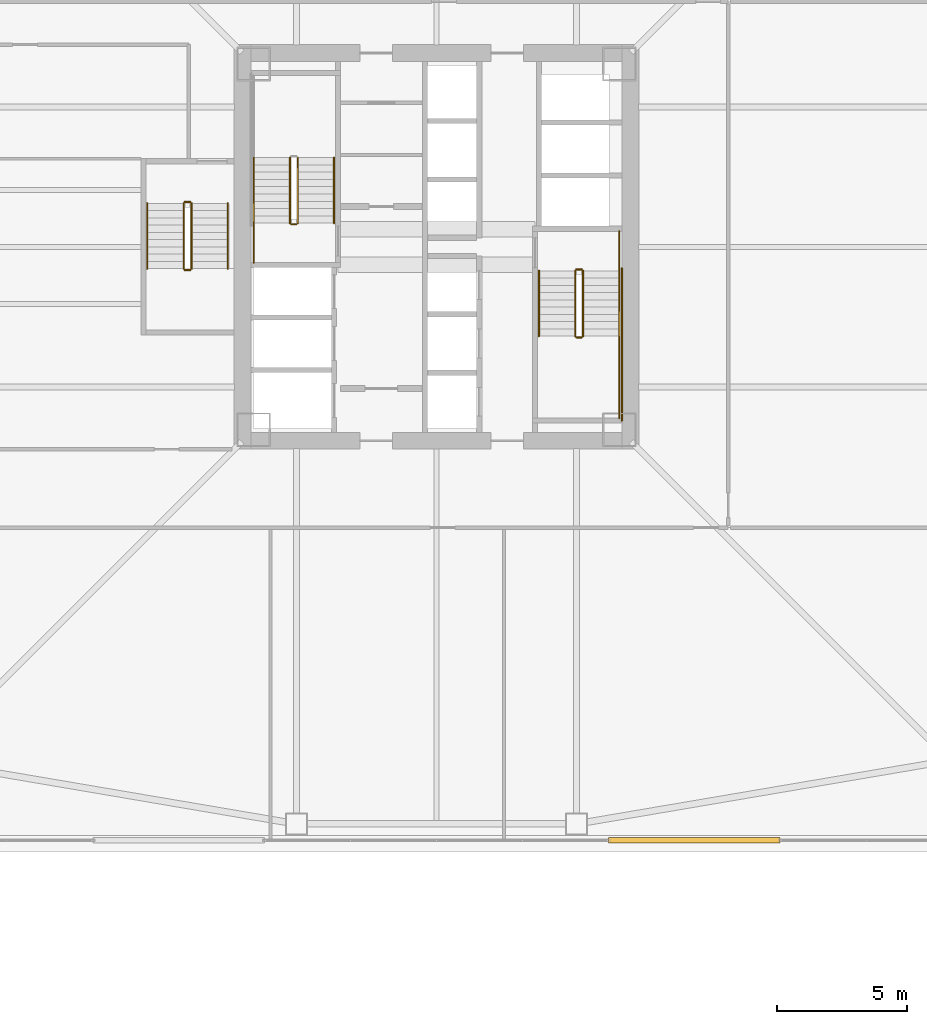
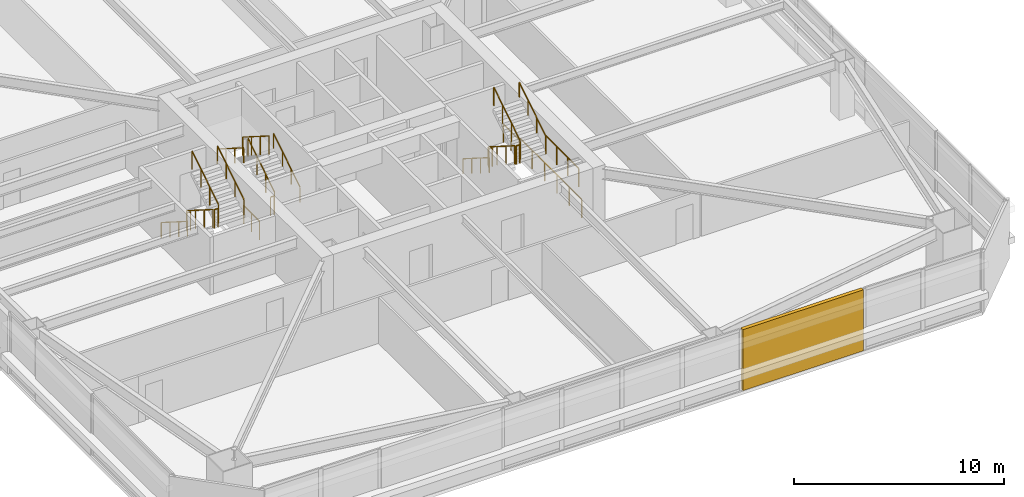
# One storey, part 41 of 47: 21 railings, 1 covering.
"""IFC4 building model written with IfcOpenShell, lengths in metres."""

from ifc_helpers import new_model, si_unit, direction, frame, origin, origin_2d, place, context, subcontext, project, spatial, rectangle, extrude, material, layer, layer_set, type_object, element, save


model = new_model("IFC4")

# Units and contexts
model_context = context("Model", 3, precision=1e-05, world=origin(), true_north=direction((0.0, 1.0)))
body_context = subcontext(model_context, "Body", "Model", "MODEL_VIEW")
ifc_project = project(units=[si_unit("LENGTHUNIT", "METRE"), si_unit("AREAUNIT", "SQUARE_METRE"), si_unit("VOLUMEUNIT", "CUBIC_METRE"), si_unit("PLANEANGLEUNIT", "RADIAN"), si_unit("MASSUNIT", "GRAM", prefix="KILO")], contexts=[model_context])

# Site, building, storey
site_placement = place(None, origin())
site = spatial("IfcSite", under=ifc_project, at=site_placement, CompositionType="ELEMENT")
building_placement = place(site_placement, origin())
building = spatial("IfcBuilding", under=site, at=building_placement, Name="Tashvorn Skyway Center", CompositionType="ELEMENT")
storey_placement = place(building_placement, frame((0.0, 0.0, 42.35009765625)))
storey = spatial("IfcBuildingStorey", under=building, at=storey_placement, Name="L10", CompositionType="ELEMENT", Elevation=42.35009765625)

# Covering
ifc_material_1 = material(Name="Precast concrete C40/50", Category="concrete")
ifc_layer = layer(ifc_material_1, 0.199951171875)
ifc_layer_set = layer_set([ifc_layer], Name="Precast concrete C40/50")
covering_type = type_object("IfcCoveringType", Name="COV-BRACE-CLAD", PredefinedType="CLADDING", material=ifc_layer_set)
covering_placement = place(storey_placement, frame((51.93994140625, 9.1201171875, 0.0), z_axis=(0.0, 0.0, 1.0), x_axis=(-1.0, 0.0, 0.0)))
element("IfcCovering", 1, at=covering_placement, inside=storey, type_object=covering_type, Name="Tower 1 L10 South Unitised Curtain Wall Mega-Brace Cladding Band 1", PredefinedType="CLADDING", context=body_context, shape_type="SweptSolid", body=[
    extrude(rectangle(XDim=6.626708984375, YDim=0.199951171875, at=origin_2d()), origin(), (0.0, 0.0, 1.0), 3.550048828125),
])

# Railings
ifc_material_2 = material(Name="Brushed stainless steel 316", Category="steel")
railing_type_1 = type_object("IfcRailingType", Name="RAIL-HAND-920", PredefinedType="HANDRAIL", material=ifc_material_2)
railing_1_placement = place(storey_placement, frame((38.050048828125, 32.919921875, 0.177490234375)))
element("IfcRailing", 2, at=railing_1_placement, inside=storey, type_object=railing_type_1, Name="L10 ST-T1-1 stair handrail 1", PredefinedType="HANDRAIL", context=body_context, shape_type="SweptSolid", body=[
    extrude(rectangle(XDim=0.048095703125, YDim=0.048095703125, at=origin_2d()), frame((0.0, 0.0, 0.8759765625), z_axis=(0.0, 0.84460694969, 0.535386869969), x_axis=(-1.0, 0.0, 0.0)), (0.0, 0.0, 1.0), 2.983642578125),
    extrude(rectangle(XDim=0.0419921875, YDim=0.0419921875, at=origin_2d()), origin(), (0.0, 0.0, 1.0), 0.851806640625),
    extrude(rectangle(XDim=0.0419921875, YDim=0.0419921875, at=origin_2d()), frame((0.0, 0.840087890625, 0.532470703125)), (0.0, 0.0, 1.0), 0.851806640625),
    extrude(rectangle(XDim=0.0419921875, YDim=0.0419921875, at=origin_2d()), frame((0.0, 1.679931640625, 1.06494140625)), (0.0, 0.0, 1.0), 0.851806640625),
    extrude(rectangle(XDim=0.0419921875, YDim=0.0419921875, at=origin_2d()), frame((0.0, 2.52001953125, 1.597412109375)), (0.0, 0.0, 1.0), 0.851806640625),
])
for number, where, name in (
    (3, (34.949951171875, 35.43994140625, 1.952392578125), "L10 ST-T1-1 stair handrail 2"),
    (4, (45.949951171875, 31.080078125, 0.177490234375), "L10 ST-T1-2 stair handrail 1"),
):
    element("IfcRailing", number, at=place(storey_placement, frame(where)), inside=storey, type_object=railing_type_1, Name=name, PredefinedType="HANDRAIL", context=body_context, shape_type="SweptSolid", body=[
        extrude(rectangle(XDim=0.048095703125, YDim=0.048095703125, at=origin_2d()), frame((0.0, 0.0, 0.8759765625), z_axis=(0.0, -0.84460694969, 0.535386869969), x_axis=(1.0, 0.0, 0.0)), (0.0, 0.0, 1.0), 2.983642578125),
        extrude(rectangle(XDim=0.0419921875, YDim=0.0419921875, at=origin_2d()), origin(), (0.0, 0.0, 1.0), 0.851806640625),
        extrude(rectangle(XDim=0.0419921875, YDim=0.0419921875, at=origin_2d()), frame((0.0, -0.840087890625, 0.532470703125)), (0.0, 0.0, 1.0), 0.851806640625),
        extrude(rectangle(XDim=0.0419921875, YDim=0.0419921875, at=origin_2d()), frame((0.0, -1.679931640625, 1.06494140625)), (0.0, 0.0, 1.0), 0.851806640625),
        extrude(rectangle(XDim=0.0419921875, YDim=0.0419921875, at=origin_2d()), frame((0.0, -2.52001953125, 1.597412109375)), (0.0, 0.0, 1.0), 0.851806640625),
    ])
railing_2_placement = place(storey_placement, frame((49.050048828125, 28.56005859375, 1.952392578125)))
element("IfcRailing", 5, at=railing_2_placement, inside=storey, type_object=railing_type_1, Name="L10 ST-T1-2 stair handrail 2", PredefinedType="HANDRAIL", context=body_context, shape_type="SweptSolid", body=[
    extrude(rectangle(XDim=0.048095703125, YDim=0.048095703125, at=origin_2d()), frame((0.0, 0.0, 0.8759765625), z_axis=(0.0, 0.84460694969, 0.535386869969), x_axis=(-1.0, 0.0, 0.0)), (0.0, 0.0, 1.0), 2.983642578125),
    extrude(rectangle(XDim=0.0419921875, YDim=0.0419921875, at=origin_2d()), origin(), (0.0, 0.0, 1.0), 0.851806640625),
    extrude(rectangle(XDim=0.0419921875, YDim=0.0419921875, at=origin_2d()), frame((0.0, 0.840087890625, 0.532470703125)), (0.0, 0.0, 1.0), 0.851806640625),
    extrude(rectangle(XDim=0.0419921875, YDim=0.0419921875, at=origin_2d()), frame((0.0, 1.679931640625, 1.06494140625)), (0.0, 0.0, 1.0), 0.851806640625),
    extrude(rectangle(XDim=0.0419921875, YDim=0.0419921875, at=origin_2d()), frame((0.0, 2.52001953125, 1.597412109375)), (0.0, 0.0, 1.0), 0.851806640625),
])
railing_3_placement = place(storey_placement, frame((30.85009765625, 33.679931640625, 0.177490234375)))
element("IfcRailing", 6, at=railing_3_placement, inside=storey, type_object=railing_type_1, Name="L10 ST-T1-3 stair handrail 1", PredefinedType="HANDRAIL", context=body_context, shape_type="SweptSolid", body=[
    extrude(rectangle(XDim=0.048095703125, YDim=0.048095703125, at=origin_2d()), frame((0.0, 0.0, 0.8759765625), z_axis=(0.0, -0.84460694969, 0.535386869969), x_axis=(1.0, 0.0, 0.0)), (0.0, 0.0, 1.0), 2.983642578125),
    extrude(rectangle(XDim=0.0419921875, YDim=0.0419921875, at=origin_2d()), origin(), (0.0, 0.0, 1.0), 0.851806640625),
    extrude(rectangle(XDim=0.0419921875, YDim=0.0419921875, at=origin_2d()), frame((0.0, -0.840087890625, 0.532470703125)), (0.0, 0.0, 1.0), 0.851806640625),
    extrude(rectangle(XDim=0.0419921875, YDim=0.0419921875, at=origin_2d()), frame((0.0, -1.679931640625, 1.06494140625)), (0.0, 0.0, 1.0), 0.851806640625),
    extrude(rectangle(XDim=0.0419921875, YDim=0.0419921875, at=origin_2d()), frame((0.0, -2.52001953125, 1.597412109375)), (0.0, 0.0, 1.0), 0.851806640625),
])
railing_4_placement = place(storey_placement, frame((33.949951171875, 31.159912109375, 1.952392578125)))
element("IfcRailing", 7, at=railing_4_placement, inside=storey, type_object=railing_type_1, Name="L10 ST-T1-3 stair handrail 2", PredefinedType="HANDRAIL", context=body_context, shape_type="SweptSolid", body=[
    extrude(rectangle(XDim=0.048095703125, YDim=0.048095703125, at=origin_2d()), frame((0.0, 0.0, 0.8759765625), z_axis=(0.0, 0.84460694969, 0.535386869969), x_axis=(-1.0, 0.0, 0.0)), (0.0, 0.0, 1.0), 2.983642578125),
    extrude(rectangle(XDim=0.0419921875, YDim=0.0419921875, at=origin_2d()), origin(), (0.0, 0.0, 1.0), 0.851806640625),
    extrude(rectangle(XDim=0.0419921875, YDim=0.0419921875, at=origin_2d()), frame((0.0, 0.840087890625, 0.532470703125)), (0.0, 0.0, 1.0), 0.851806640625),
    extrude(rectangle(XDim=0.0419921875, YDim=0.0419921875, at=origin_2d()), frame((0.0, 1.679931640625, 1.06494140625)), (0.0, 0.0, 1.0), 0.851806640625),
    extrude(rectangle(XDim=0.0419921875, YDim=0.0419921875, at=origin_2d()), frame((0.0, 2.52001953125, 1.597412109375)), (0.0, 0.0, 1.0), 0.851806640625),
])
ifc_material_3 = material(Name="Painted galvanized steel S355", Category="steel")
railing_type_2 = type_object("IfcRailingType", Name="RAIL-STGUARD-1100", PredefinedType="GUARDRAIL", material=ifc_material_3)
railing_5_placement = place(storey_placement, frame((36.64990234375, 32.919921875, 0.177490234375)))
element("IfcRailing", 8, at=railing_5_placement, inside=storey, type_object=railing_type_2, Name="L10 ST-T1-1 stair guard 1", PredefinedType="GUARDRAIL", context=body_context, shape_type="SweptSolid", body=[
    extrude(rectangle(XDim=0.048095703125, YDim=0.048095703125, at=origin_2d()), frame((0.0, 0.0, 1.076171875), z_axis=(0.0, 0.84460694969, 0.535386869969), x_axis=(-1.0, 0.0, 0.0)), (0.0, 0.0, 1.0), 2.983642578125),
    extrude(rectangle(XDim=0.0419921875, YDim=0.0419921875, at=origin_2d()), origin(), (0.0, 0.0, 1.0), 1.052001953125),
    extrude(rectangle(XDim=0.0419921875, YDim=0.0419921875, at=origin_2d()), frame((0.0, 0.840087890625, 0.532470703125)), (0.0, 0.0, 1.0), 1.052001953125),
    extrude(rectangle(XDim=0.0419921875, YDim=0.0419921875, at=origin_2d()), frame((0.0, 1.679931640625, 1.06494140625)), (0.0, 0.0, 1.0), 1.052001953125),
    extrude(rectangle(XDim=0.0419921875, YDim=0.0419921875, at=origin_2d()), frame((0.0, 2.52001953125, 1.597412109375)), (0.0, 0.0, 1.0), 1.052001953125),
])
railing_6_placement = place(storey_placement, frame((36.35009765625, 35.43994140625, 1.952392578125)))
element("IfcRailing", 9, at=railing_6_placement, inside=storey, type_object=railing_type_2, Name="L10 ST-T1-1 stair guard 4", PredefinedType="GUARDRAIL", context=body_context, shape_type="SweptSolid", body=[
    extrude(rectangle(XDim=0.048095703125, YDim=0.048095703125, at=origin_2d()), frame((0.0, 0.0, 1.076171875), z_axis=(0.0, -0.84460694969, 0.535386869969), x_axis=(1.0, 0.0, 0.0)), (0.0, 0.0, 1.0), 2.983642578125),
    extrude(rectangle(XDim=0.0419921875, YDim=0.0419921875, at=origin_2d()), origin(), (0.0, 0.0, 1.0), 1.052001953125),
    extrude(rectangle(XDim=0.0419921875, YDim=0.0419921875, at=origin_2d()), frame((0.0, -0.840087890625, 0.532470703125)), (0.0, 0.0, 1.0), 1.052001953125),
    extrude(rectangle(XDim=0.0419921875, YDim=0.0419921875, at=origin_2d()), frame((0.0, -1.679931640625, 1.06494140625)), (0.0, 0.0, 1.0), 1.052001953125),
    extrude(rectangle(XDim=0.0419921875, YDim=0.0419921875, at=origin_2d()), frame((0.0, -2.52001953125, 1.597412109375)), (0.0, 0.0, 1.0), 1.052001953125),
])
railing_7_placement = place(storey_placement, frame((36.60009765625, 32.8701171875, 0.0)))
element("IfcRailing", 10, at=railing_7_placement, inside=storey, type_object=railing_type_2, Name="L10 ST-T1-1 stair guard 5", PredefinedType="GUARDRAIL", context=body_context, shape_type="SweptSolid", body=[
    extrude(rectangle(XDim=0.048095703125, YDim=0.048095703125, at=origin_2d()), frame((0.0, 0.0, 1.076171875), z_axis=(-1.0, 0.0, 0.0), x_axis=(0.0, -1.0, 0.0)), (0.0, 0.0, 1.0), 0.2001953125),
    extrude(rectangle(XDim=0.0419921875, YDim=0.0419921875, at=origin_2d()), origin(), (0.0, 0.0, 1.0), 1.052001953125),
    extrude(rectangle(XDim=0.0419921875, YDim=0.0419921875, at=origin_2d()), frame((-0.2001953125, 0.0, 0.0)), (0.0, 0.0, 1.0), 1.052001953125),
])
railing_8_placement = place(storey_placement, frame((34.949951171875, 31.39990234375, 0.0)))
element("IfcRailing", 11, at=railing_8_placement, inside=storey, type_object=railing_type_2, Name="L10 ST-T1-1 stair guard 6", PredefinedType="GUARDRAIL", context=body_context, shape_type="SweptSolid", body=[
    extrude(rectangle(XDim=0.048095703125, YDim=0.048095703125, at=origin_2d()), frame((0.0, 0.0, 1.076171875), z_axis=(0.0, 1.0, 0.0), x_axis=(-1.0, 0.0, 0.0)), (0.0, 0.0, 1.0), 1.52001953125),
    extrude(rectangle(XDim=0.0419921875, YDim=0.0419921875, at=origin_2d()), origin(), (0.0, 0.0, 1.0), 1.052001953125),
    extrude(rectangle(XDim=0.0419921875, YDim=0.0419921875, at=origin_2d()), frame((0.0, 0.760009765625, 0.0)), (0.0, 0.0, 1.0), 1.052001953125),
    extrude(rectangle(XDim=0.0419921875, YDim=0.0419921875, at=origin_2d()), frame((0.0, 1.52001953125, 0.0)), (0.0, 0.0, 1.0), 1.052001953125),
])
railing_9_placement = place(storey_placement, frame((47.35009765625, 31.080078125, 0.177490234375)))
element("IfcRailing", 12, at=railing_9_placement, inside=storey, type_object=railing_type_2, Name="L10 ST-T1-2 stair guard 1", PredefinedType="GUARDRAIL", context=body_context, shape_type="SweptSolid", body=[
    extrude(rectangle(XDim=0.048095703125, YDim=0.048095703125, at=origin_2d()), frame((0.0, 0.0, 1.076171875), z_axis=(0.0, -0.84460694969, 0.535386869969), x_axis=(1.0, 0.0, 0.0)), (0.0, 0.0, 1.0), 2.983642578125),
    extrude(rectangle(XDim=0.0419921875, YDim=0.0419921875, at=origin_2d()), origin(), (0.0, 0.0, 1.0), 1.052001953125),
    extrude(rectangle(XDim=0.0419921875, YDim=0.0419921875, at=origin_2d()), frame((0.0, -0.840087890625, 0.532470703125)), (0.0, 0.0, 1.0), 1.052001953125),
    extrude(rectangle(XDim=0.0419921875, YDim=0.0419921875, at=origin_2d()), frame((0.0, -1.679931640625, 1.06494140625)), (0.0, 0.0, 1.0), 1.052001953125),
    extrude(rectangle(XDim=0.0419921875, YDim=0.0419921875, at=origin_2d()), frame((0.0, -2.52001953125, 1.597412109375)), (0.0, 0.0, 1.0), 1.052001953125),
])
railing_10_placement = place(storey_placement, frame((47.39990234375, 28.510009765625, 1.77490234375)))
element("IfcRailing", 13, at=railing_10_placement, inside=storey, type_object=railing_type_2, Name="L10 ST-T1-2 stair guard 2", PredefinedType="GUARDRAIL", context=body_context, shape_type="SweptSolid", body=[
    extrude(rectangle(XDim=0.048095703125, YDim=0.048095703125, at=origin_2d()), frame((0.0, 0.0, 1.076171875), z_axis=(1.0, 0.0, 0.0), x_axis=(0.0, 1.0, 0.0)), (0.0, 0.0, 1.0), 0.2001953125),
    extrude(rectangle(XDim=0.0419921875, YDim=0.0419921875, at=origin_2d()), origin(), (0.0, 0.0, 1.0), 1.052001953125),
    extrude(rectangle(XDim=0.0419921875, YDim=0.0419921875, at=origin_2d()), frame((0.2001953125, 0.0, 0.0)), (0.0, 0.0, 1.0), 1.052001953125),
])
railing_11_placement = place(storey_placement, frame((49.050048828125, 28.56005859375, 1.77490234375)))
element("IfcRailing", 14, at=railing_11_placement, inside=storey, type_object=railing_type_2, Name="L10 ST-T1-2 stair guard 3", PredefinedType="GUARDRAIL", context=body_context, shape_type="SweptSolid", body=[
    extrude(rectangle(XDim=0.048095703125, YDim=0.048095703125, at=origin_2d()), frame((0.0, 0.0, 1.076171875), z_axis=(0.0, -1.0, 0.0), x_axis=(1.0, 0.0, 0.0)), (0.0, 0.0, 1.0), 3.16015625),
    extrude(rectangle(XDim=0.0419921875, YDim=0.0419921875, at=origin_2d()), origin(), (0.0, 0.0, 1.0), 1.052001953125),
    extrude(rectangle(XDim=0.0419921875, YDim=0.0419921875, at=origin_2d()), frame((0.0, -1.053466796875, 0.0)), (0.0, 0.0, 1.0), 1.052001953125),
    extrude(rectangle(XDim=0.0419921875, YDim=0.0419921875, at=origin_2d()), frame((0.0, -2.106689453125, 0.0)), (0.0, 0.0, 1.0), 1.052001953125),
    extrude(rectangle(XDim=0.0419921875, YDim=0.0419921875, at=origin_2d()), frame((0.0, -3.16015625, 0.0)), (0.0, 0.0, 1.0), 1.052001953125),
])
railing_12_placement = place(storey_placement, frame((47.64990234375, 28.56005859375, 1.952392578125)))
element("IfcRailing", 15, at=railing_12_placement, inside=storey, type_object=railing_type_2, Name="L10 ST-T1-2 stair guard 4", PredefinedType="GUARDRAIL", context=body_context, shape_type="SweptSolid", body=[
    extrude(rectangle(XDim=0.048095703125, YDim=0.048095703125, at=origin_2d()), frame((0.0, 0.0, 1.076171875), z_axis=(0.0, 0.84460694969, 0.535386869969), x_axis=(-1.0, 0.0, 0.0)), (0.0, 0.0, 1.0), 2.983642578125),
    extrude(rectangle(XDim=0.0419921875, YDim=0.0419921875, at=origin_2d()), origin(), (0.0, 0.0, 1.0), 1.052001953125),
    extrude(rectangle(XDim=0.0419921875, YDim=0.0419921875, at=origin_2d()), frame((0.0, 0.840087890625, 0.532470703125)), (0.0, 0.0, 1.0), 1.052001953125),
    extrude(rectangle(XDim=0.0419921875, YDim=0.0419921875, at=origin_2d()), frame((0.0, 1.679931640625, 1.06494140625)), (0.0, 0.0, 1.0), 1.052001953125),
    extrude(rectangle(XDim=0.0419921875, YDim=0.0419921875, at=origin_2d()), frame((0.0, 2.52001953125, 1.597412109375)), (0.0, 0.0, 1.0), 1.052001953125),
])
railing_13_placement = place(storey_placement, frame((47.39990234375, 31.1298828125, 0.0)))
element("IfcRailing", 16, at=railing_13_placement, inside=storey, type_object=railing_type_2, Name="L10 ST-T1-2 stair guard 5", PredefinedType="GUARDRAIL", context=body_context, shape_type="SweptSolid", body=[
    extrude(rectangle(XDim=0.048095703125, YDim=0.048095703125, at=origin_2d()), frame((0.0, 0.0, 1.076171875), z_axis=(1.0, 0.0, 0.0), x_axis=(0.0, 1.0, 0.0)), (0.0, 0.0, 1.0), 0.2001953125),
    extrude(rectangle(XDim=0.0419921875, YDim=0.0419921875, at=origin_2d()), origin(), (0.0, 0.0, 1.0), 1.052001953125),
    extrude(rectangle(XDim=0.0419921875, YDim=0.0419921875, at=origin_2d()), frame((0.2001953125, 0.0, 0.0)), (0.0, 0.0, 1.0), 1.052001953125),
])
railing_14_placement = place(storey_placement, frame((49.050048828125, 32.60009765625, 0.0)))
element("IfcRailing", 17, at=railing_14_placement, inside=storey, type_object=railing_type_2, Name="L10 ST-T1-2 stair guard 6", PredefinedType="GUARDRAIL", context=body_context, shape_type="SweptSolid", body=[
    extrude(rectangle(XDim=0.048095703125, YDim=0.048095703125, at=origin_2d()), frame((0.0, 0.0, 1.076171875), z_axis=(0.0, -1.0, 0.0), x_axis=(1.0, 0.0, 0.0)), (0.0, 0.0, 1.0), 1.52001953125),
    extrude(rectangle(XDim=0.0419921875, YDim=0.0419921875, at=origin_2d()), origin(), (0.0, 0.0, 1.0), 1.052001953125),
    extrude(rectangle(XDim=0.0419921875, YDim=0.0419921875, at=origin_2d()), frame((0.0, -0.760009765625, 0.0)), (0.0, 0.0, 1.0), 1.052001953125),
    extrude(rectangle(XDim=0.0419921875, YDim=0.0419921875, at=origin_2d()), frame((0.0, -1.52001953125, 0.0)), (0.0, 0.0, 1.0), 1.052001953125),
])
railing_15_placement = place(storey_placement, frame((49.14990234375, 31.179931640625, 0.0)))
element("IfcRailing", 18, at=railing_15_placement, inside=storey, type_object=railing_type_2, Name="L10 ST-T1-2 stair guard 7", PredefinedType="GUARDRAIL", context=body_context, shape_type="SweptSolid", body=[
    extrude(rectangle(XDim=0.048095703125, YDim=0.048095703125, at=origin_2d()), frame((0.0, 0.0, 1.076171875), z_axis=(0.0, -1.0, 0.0), x_axis=(1.0, 0.0, 0.0)), (0.0, 0.0, 1.0), 5.8798828125),
    extrude(rectangle(XDim=0.0419921875, YDim=0.0419921875, at=origin_2d()), origin(), (0.0, 0.0, 1.0), 1.052001953125),
    extrude(rectangle(XDim=0.0419921875, YDim=0.0419921875, at=origin_2d()), frame((0.0, -1.176025390625, 0.0)), (0.0, 0.0, 1.0), 1.052001953125),
    extrude(rectangle(XDim=0.0419921875, YDim=0.0419921875, at=origin_2d()), frame((0.0, -2.35205078125, 0.0)), (0.0, 0.0, 1.0), 1.052001953125),
    extrude(rectangle(XDim=0.0419921875, YDim=0.0419921875, at=origin_2d()), frame((0.0, -3.52783203125, 0.0)), (0.0, 0.0, 1.0), 1.052001953125),
    extrude(rectangle(XDim=0.0419921875, YDim=0.0419921875, at=origin_2d()), frame((0.0, -4.703857421875, 0.0)), (0.0, 0.0, 1.0), 1.052001953125),
    extrude(rectangle(XDim=0.0419921875, YDim=0.0419921875, at=origin_2d()), frame((0.0, -5.8798828125, 0.0)), (0.0, 0.0, 1.0), 1.052001953125),
])
railing_16_placement = place(storey_placement, frame((32.25, 33.679931640625, 0.177490234375)))
element("IfcRailing", 19, at=railing_16_placement, inside=storey, type_object=railing_type_2, Name="L10 ST-T1-3 stair guard 1", PredefinedType="GUARDRAIL", context=body_context, shape_type="SweptSolid", body=[
    extrude(rectangle(XDim=0.048095703125, YDim=0.048095703125, at=origin_2d()), frame((0.0, 0.0, 1.076171875), z_axis=(0.0, -0.84460694969, 0.535386869969), x_axis=(1.0, 0.0, 0.0)), (0.0, 0.0, 1.0), 2.983642578125),
    extrude(rectangle(XDim=0.0419921875, YDim=0.0419921875, at=origin_2d()), origin(), (0.0, 0.0, 1.0), 1.052001953125),
    extrude(rectangle(XDim=0.0419921875, YDim=0.0419921875, at=origin_2d()), frame((0.0, -0.840087890625, 0.532470703125)), (0.0, 0.0, 1.0), 1.052001953125),
    extrude(rectangle(XDim=0.0419921875, YDim=0.0419921875, at=origin_2d()), frame((0.0, -1.679931640625, 1.06494140625)), (0.0, 0.0, 1.0), 1.052001953125),
    extrude(rectangle(XDim=0.0419921875, YDim=0.0419921875, at=origin_2d()), frame((0.0, -2.52001953125, 1.597412109375)), (0.0, 0.0, 1.0), 1.052001953125),
])
railing_17_placement = place(storey_placement, frame((32.300048828125, 31.110107421875, 1.77490234375)))
element("IfcRailing", 20, at=railing_17_placement, inside=storey, type_object=railing_type_2, Name="L10 ST-T1-3 stair guard 2", PredefinedType="GUARDRAIL", context=body_context, shape_type="SweptSolid", body=[
    extrude(rectangle(XDim=0.048095703125, YDim=0.048095703125, at=origin_2d()), frame((0.0, 0.0, 1.076171875), z_axis=(1.0, 0.0, 0.0), x_axis=(0.0, 1.0, 0.0)), (0.0, 0.0, 1.0), 0.199951171875),
    extrude(rectangle(XDim=0.0419921875, YDim=0.0419921875, at=origin_2d()), origin(), (0.0, 0.0, 1.0), 1.052001953125),
    extrude(rectangle(XDim=0.0419921875, YDim=0.0419921875, at=origin_2d()), frame((0.199951171875, 0.0, 0.0)), (0.0, 0.0, 1.0), 1.052001953125),
])
railing_18_placement = place(storey_placement, frame((32.550048828125, 31.159912109375, 1.952392578125)))
element("IfcRailing", 21, at=railing_18_placement, inside=storey, type_object=railing_type_2, Name="L10 ST-T1-3 stair guard 3", PredefinedType="GUARDRAIL", context=body_context, shape_type="SweptSolid", body=[
    extrude(rectangle(XDim=0.048095703125, YDim=0.048095703125, at=origin_2d()), frame((0.0, 0.0, 1.076171875), z_axis=(0.0, 0.84460694969, 0.535386869969), x_axis=(-1.0, 0.0, 0.0)), (0.0, 0.0, 1.0), 2.983642578125),
    extrude(rectangle(XDim=0.0419921875, YDim=0.0419921875, at=origin_2d()), origin(), (0.0, 0.0, 1.0), 1.052001953125),
    extrude(rectangle(XDim=0.0419921875, YDim=0.0419921875, at=origin_2d()), frame((0.0, 0.840087890625, 0.532470703125)), (0.0, 0.0, 1.0), 1.052001953125),
    extrude(rectangle(XDim=0.0419921875, YDim=0.0419921875, at=origin_2d()), frame((0.0, 1.679931640625, 1.06494140625)), (0.0, 0.0, 1.0), 1.052001953125),
    extrude(rectangle(XDim=0.0419921875, YDim=0.0419921875, at=origin_2d()), frame((0.0, 2.52001953125, 1.597412109375)), (0.0, 0.0, 1.0), 1.052001953125),
])
railing_19_placement = place(storey_placement, frame((32.300048828125, 33.72998046875, 0.0)))
element("IfcRailing", 22, at=railing_19_placement, inside=storey, type_object=railing_type_2, Name="L10 ST-T1-3 stair guard 4", PredefinedType="GUARDRAIL", context=body_context, shape_type="SweptSolid", body=[
    extrude(rectangle(XDim=0.048095703125, YDim=0.048095703125, at=origin_2d()), frame((0.0, 0.0, 1.076171875), z_axis=(1.0, 0.0, 0.0), x_axis=(0.0, 1.0, 0.0)), (0.0, 0.0, 1.0), 0.199951171875),
    extrude(rectangle(XDim=0.0419921875, YDim=0.0419921875, at=origin_2d()), origin(), (0.0, 0.0, 1.0), 1.052001953125),
    extrude(rectangle(XDim=0.0419921875, YDim=0.0419921875, at=origin_2d()), frame((0.199951171875, 0.0, 0.0)), (0.0, 0.0, 1.0), 1.052001953125),
])

save(model, "model.ifc")
